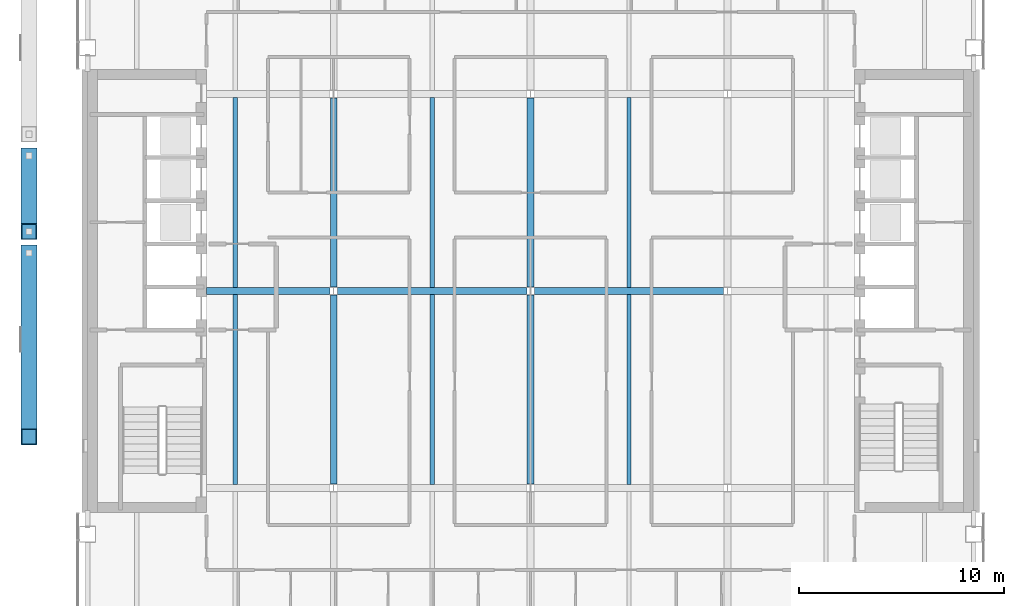
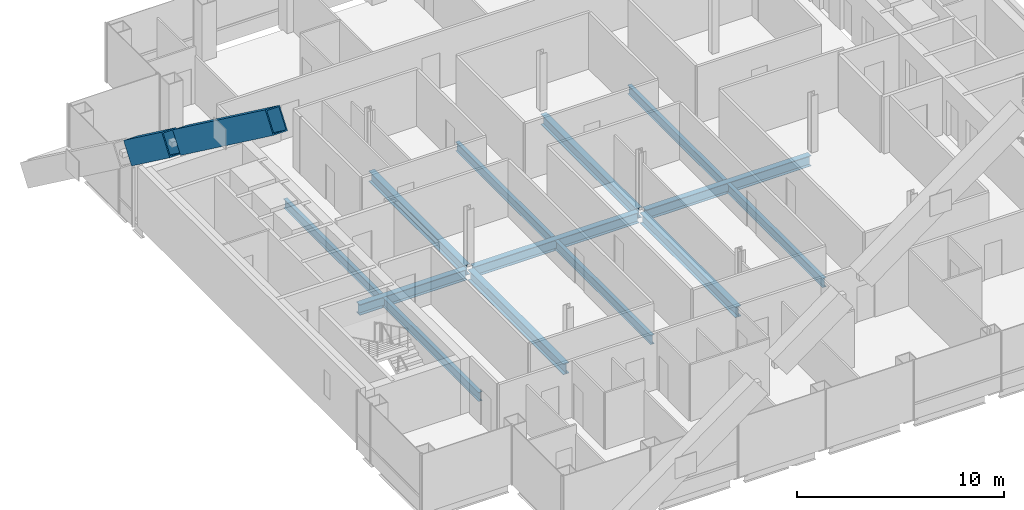
# One storey, part 5 of 17: 13 beams, 2 members.
"""IFC4 building model written with IfcOpenShell, lengths in metres."""

from ifc_helpers import new_model, si_unit, direction, frame, origin, origin_2d, place, context, subcontext, project, spatial, hollow_rectangle, i_section, extrude, material, material_profile, profile_set, type_object, element, save


model = new_model("IFC4")

# Units and contexts
model_context = context("Model", 3, precision=1e-05, world=origin(), true_north=direction((0.0, 1.0)))
body_context = subcontext(model_context, "Body", "Model", "MODEL_VIEW")
ifc_project = project(units=[si_unit("LENGTHUNIT", "METRE"), si_unit("AREAUNIT", "SQUARE_METRE"), si_unit("VOLUMEUNIT", "CUBIC_METRE"), si_unit("PLANEANGLEUNIT", "RADIAN"), si_unit("MASSUNIT", "GRAM", prefix="KILO")], contexts=[model_context])

# Site, building, storey
site_placement = place(None, origin())
site = spatial("IfcSite", under=ifc_project, at=site_placement, CompositionType="ELEMENT")
building_placement = place(site_placement, origin())
building = spatial("IfcBuilding", under=site, at=building_placement, Name="Cobrizo Arcos Hotel Tower", CompositionType="ELEMENT")
storey_placement = place(building_placement, frame((0.0, 0.0, 151.5)))
storey = spatial("IfcBuildingStorey", under=building, at=storey_placement, Name="L38", CompositionType="ELEMENT", Elevation=151.5)

# Members
ifc_material_1 = material(Name="Steel ASTM A572 Grade 50", Category="steel")
ifc_material_profile_1 = material_profile(ifc_material_1, hollow_rectangle(XDim=0.800048828125, YDim=1.300048828125, WallThickness=0.06005859375, at=origin_2d()), Name="BOX 800X1300X60")
ifc_profile_set_1 = profile_set([ifc_material_profile_1], Name="Steel ASTM A572 Grade 50")
member_type = type_object("IfcMemberType", Name="BOX 800X1300X60 perimeter brace", PredefinedType="BRACE", material=ifc_profile_set_1)
member_1_placement = place(storey_placement, frame((-24.449951171875, 6.591064453125, 7.885986328125), z_axis=(0.0, -0.804612164142, 0.593800694943), x_axis=(1.0, 0.0, 0.0)))
element("IfcMember", 1, at=member_1_placement, inside=storey, type_object=member_type, Name="Perimeter brace PBR3, zone Z3, west face, no. 06b", PredefinedType="BRACE", context=body_context, shape_type="SweptSolid", body=[
    extrude(hollow_rectangle(XDim=0.800048828125, YDim=1.300048828125, WallThickness=0.06005859375, at=origin_2d()), origin(), (0.0, 0.0, 1.0), 4.59423828125),
])
member_2_placement = place(storey_placement, frame((-24.449951171875, 1.84814453125, 11.385986328125), z_axis=(0.0, -0.804620954099, 0.593788784186), x_axis=(1.0, 0.0, 0.0)))
element("IfcMember", 2, at=member_2_placement, inside=storey, type_object=member_type, Name="Perimeter brace PBR3, zone Z3, west face, no. 06c", PredefinedType="BRACE", context=body_context, shape_type="SweptSolid", body=[
    extrude(hollow_rectangle(XDim=0.800048828125, YDim=1.300048828125, WallThickness=0.06005859375, at=origin_2d()), origin(), (0.0, 0.0, 1.0), 11.138671875),
])

# Beams
ifc_material_2 = material(Name="Steel ASTM A992 Grade 50", Category="steel")
ifc_material_profile_2 = material_profile(ifc_material_2, i_section(OverallWidth=0.209228515625, OverallDepth=0.533447265625, WebThickness=0.01025390625, FlangeThickness=0.015625, at=origin_2d()), Name="W21X62")
ifc_profile_set_2 = profile_set([ifc_material_profile_2], Name="Steel ASTM A992 Grade 50")
beam_type_1 = type_object("IfcBeamType", Name="W21X62 joist", PredefinedType="JOIST", material=ifc_profile_set_2)
for number, where, z_axis, x_axis, name in (
    (3, (-14.39990234375, -9.43603515625, -0.416748046875), (0.0, 1.0, 0.0), (-1.0, 0.0, 0.0), "Floor joist J1, L38, no. 004"),
    (4, (-14.39990234375, 0.163818359375, -0.416748046875), (0.0, 1.0, 0.0), (-1.0, 0.0, 0.0), "Floor joist J1, L38, no. 005"),
    (5, (-4.800048828125, -9.43603515625, -0.416748046875), (0.0, 1.0, 0.0), (-1.0, 0.0, 0.0), "Floor joist J1, L38, no. 008"),
    (6, (-4.800048828125, 0.163818359375, -0.416748046875), (0.0, 1.0, 0.0), (-1.0, 0.0, 0.0), "Floor joist J1, L38, no. 009"),
    (7, (4.800048828125, -9.43603515625, -0.416748046875), (0.0, 1.0, 0.0), (-1.0, 0.0, 0.0), "Floor joist J1, L38, no. 012"),
    (8, (4.800048828125, 0.163818359375, -0.416748046875), (0.0, 1.0, 0.0), (-1.0, 0.0, 0.0), "Floor joist J1, L38, no. 013"),
):
    element("IfcBeam", number, at=place(storey_placement, frame(where, z_axis=z_axis, x_axis=x_axis)), inside=storey, type_object=beam_type_1, Name=name, PredefinedType="JOIST", context=body_context, shape_type="SweptSolid", body=[
        extrude(i_section(OverallWidth=0.209228515625, OverallDepth=0.533447265625, WebThickness=0.01025390625, FlangeThickness=0.015625, at=origin_2d()), origin(), (0.0, 0.0, 1.0), 9.272216796875),
    ])
ifc_material_profile_3 = material_profile(ifc_material_2, i_section(OverallWidth=0.32763671875, OverallDepth=0.622314453125, WebThickness=0.015380859375, FlangeThickness=0.0244140625, at=origin_2d()), Name="W24X131")
ifc_profile_set_3 = profile_set([ifc_material_profile_3], Name="Steel ASTM A992 Grade 50")
beam_type_2 = type_object("IfcBeamType", Name="W24X131 girder", PredefinedType="BEAM", material=ifc_profile_set_3)
beam_placement = place(storey_placement, frame((-15.7900390625, 0.0, -0.461181640625), z_axis=(1.0, 0.0, 0.0), x_axis=(0.0, 1.0, 0.0)))
element("IfcBeam", 9, at=beam_placement, inside=storey, type_object=beam_type_2, Name="Floor girder G1, L38, no. 005", PredefinedType="BEAM", context=body_context, shape_type="SweptSolid", body=[
    extrude(i_section(OverallWidth=0.32763671875, OverallDepth=0.622314453125, WebThickness=0.015380859375, FlangeThickness=0.0244140625, at=origin_2d()), origin(), (0.0, 0.0, 1.0), 6.00341796875),
])
for number, where, z_axis, x_axis, name in (
    (10, (-9.413330078125, 0.0, -0.461181640625), (1.0, 0.0, 0.0), (0.0, 1.0, 0.0), "Floor girder G1, L38, no. 006"),
    (11, (0.186767578125, 0.0, -0.461181640625), (1.0, 0.0, 0.0), (0.0, 1.0, 0.0), "Floor girder G1, L38, no. 007"),
    (12, (-9.60009765625, -9.413330078125, -0.461181640625), (0.0, 1.0, 0.0), (-1.0, 0.0, 0.0), "Floor girder G1, L38, no. 014"),
    (13, (-9.60009765625, 0.186767578125, -0.461181640625), (0.0, 1.0, 0.0), (-1.0, 0.0, 0.0), "Floor girder G1, L38, no. 015"),
    (14, (0.0, -9.413330078125, -0.461181640625), (0.0, 1.0, 0.0), (-1.0, 0.0, 0.0), "Floor girder G1, L38, no. 018"),
    (15, (0.0, 0.186767578125, -0.461181640625), (0.0, 1.0, 0.0), (-1.0, 0.0, 0.0), "Floor girder G1, L38, no. 019"),
):
    element("IfcBeam", number, at=place(storey_placement, frame(where, z_axis=z_axis, x_axis=x_axis)), inside=storey, type_object=beam_type_2, Name=name, PredefinedType="BEAM", context=body_context, shape_type="SweptSolid", body=[
        extrude(i_section(OverallWidth=0.32763671875, OverallDepth=0.622314453125, WebThickness=0.015380859375, FlangeThickness=0.0244140625, at=origin_2d()), origin(), (0.0, 0.0, 1.0), 9.2265625),
    ])

save(model, "model.ifc")
